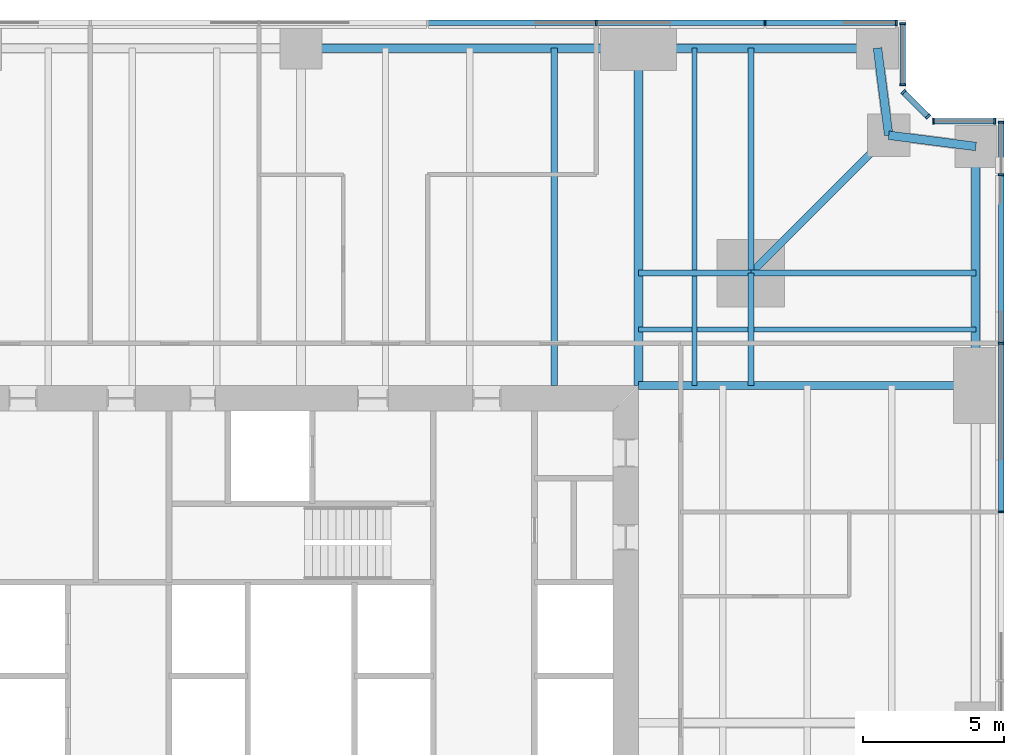
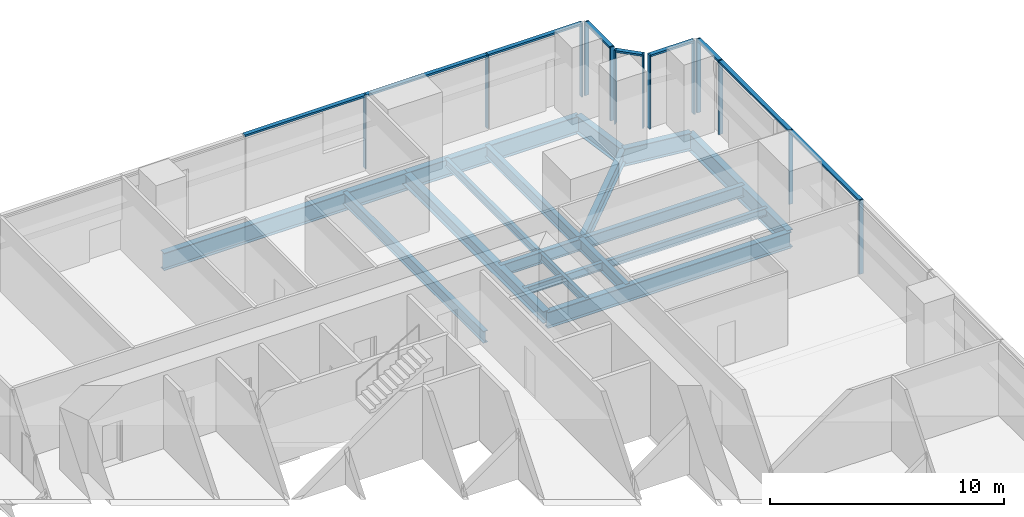
# One storey, part 7 of 14: 22 members, 18 beams, 5 elements without a shape of their own.
"""IFC4 building model written with IfcOpenShell, lengths in metres."""

from ifc_helpers import new_model, si_unit, direction, frame, origin, origin_2d, place, context, subcontext, project, spatial, rectangle, i_section, extrude, material, material_profile, profile_set, type_object, element, aggregate, save


model = new_model("IFC4")

# Units and contexts
model_context = context("Model", 3, precision=1e-05, world=origin(), true_north=direction((0.0, 1.0)))
body_context = subcontext(model_context, "Body", "Model", "MODEL_VIEW")
ifc_project = project(units=[si_unit("LENGTHUNIT", "METRE"), si_unit("AREAUNIT", "SQUARE_METRE"), si_unit("VOLUMEUNIT", "CUBIC_METRE"), si_unit("PLANEANGLEUNIT", "RADIAN"), si_unit("MASSUNIT", "GRAM", prefix="KILO")], contexts=[model_context])

# Site, building, storey
site_placement = place(None, origin())
site = spatial("IfcSite", under=ifc_project, at=site_placement, CompositionType="ELEMENT")
building_placement = place(site_placement, origin())
building = spatial("IfcBuilding", under=site, at=building_placement, Name="Fenwick Lantern Interchange", CompositionType="ELEMENT")
storey_placement = place(building_placement, frame((0.0, 0.0, 59.0)))
storey = spatial("IfcBuildingStorey", under=building, at=storey_placement, Name="L13", CompositionType="ELEMENT", Elevation=59.0)

# Beams
ifc_material_1 = material(Name="Steel ASTM A992 Grade 50", Category="steel")
ifc_material_profile_1 = material_profile(ifc_material_1, i_section(OverallWidth=0.3046875, OverallDepth=0.911865234375, WebThickness=0.015869140625, FlangeThickness=0.02392578125, at=origin_2d()), Name="W36X150")
ifc_profile_set_1 = profile_set([ifc_material_profile_1], Name="Steel ASTM A992 Grade 50")
beam_type_1 = type_object("IfcBeamType", Name="EDGE BEAM W36X150", PredefinedType="SPANDREL", material=ifc_profile_set_1)
beam_1_placement = place(storey_placement, frame((49.0, 37.0, -0.60595703125), z_axis=(0.0, 1.0, 0.0), x_axis=(-1.0, 0.0, 0.0)))
element("IfcBeam", 1, at=beam_1_placement, inside=storey, type_object=beam_type_1, Name="L13/FR/E/EB4", PredefinedType="SPANDREL", context=body_context, shape_type="SweptSolid", body=[
    extrude(i_section(OverallWidth=0.3046875, OverallDepth=0.911865234375, WebThickness=0.015869140625, FlangeThickness=0.02392578125, at=origin_2d()), origin(), (0.0, 0.0, 1.0), 8.5),
])
for number, where, z_axis, x_axis, name in (
    (2, (49.0, 45.5, -0.60595703125), (-0.991782342897, 0.127936641807, 0.0), (-0.127936641807, -0.991782342897, 0.0), "L13/FR/E/EBR1"),
    (3, (45.89990234375, 45.89990234375, -0.60595703125), (-0.127936641807, 0.991782342897, 0.0), (-0.991782342897, -0.127936641807, 0.0), "L13/FR/E/EBR2"),
):
    element("IfcBeam", number, at=place(storey_placement, frame(where, z_axis=z_axis, x_axis=x_axis)), inside=storey, type_object=beam_type_1, Name=name, PredefinedType="SPANDREL", context=body_context, shape_type="SweptSolid", body=[
        extrude(i_section(OverallWidth=0.3046875, OverallDepth=0.911865234375, WebThickness=0.015869140625, FlangeThickness=0.02392578125, at=origin_2d()), origin(), (0.0, 0.0, 1.0), 3.125732421875),
    ])
beam_2_placement = place(storey_placement, frame((45.5, 49.0, -0.60595703125), z_axis=(-1.0, 0.0, 0.0), x_axis=(0.0, -1.0, 0.0)))
element("IfcBeam", 4, at=beam_2_placement, inside=storey, type_object=beam_type_1, Name="L13/FR/N/EB1", PredefinedType="SPANDREL", context=body_context, shape_type="SweptSolid", body=[
    extrude(i_section(OverallWidth=0.3046875, OverallDepth=0.911865234375, WebThickness=0.015869140625, FlangeThickness=0.02392578125, at=origin_2d()), origin(), (0.0, 0.0, 1.0), 8.5),
])
beam_3_placement = place(storey_placement, frame((37.0, 49.0, -0.60595703125), z_axis=(-1.0, 0.0, 0.0), x_axis=(0.0, -1.0, 0.0)))
element("IfcBeam", 5, at=beam_3_placement, inside=storey, type_object=beam_type_1, Name="L13/FR/N/EB2", PredefinedType="SPANDREL", context=body_context, shape_type="SweptSolid", body=[
    extrude(i_section(OverallWidth=0.3046875, OverallDepth=0.911865234375, WebThickness=0.015869140625, FlangeThickness=0.02392578125, at=origin_2d()), origin(), (0.0, 0.0, 1.0), 12.0),
])
ifc_material_profile_2 = material_profile(ifc_material_1, i_section(OverallWidth=0.22900390625, OverallDepth=0.612060546875, WebThickness=0.011962890625, FlangeThickness=0.01953125, at=origin_2d()), Name="W24X84")
ifc_profile_set_2 = profile_set([ifc_material_profile_2], Name="Steel ASTM A992 Grade 50")
beam_type_2 = type_object("IfcBeamType", Name="FLOOR BEAM W24X84", PredefinedType="BEAM", material=ifc_profile_set_2)
beam_4_placement = place(storey_placement, frame((34.0, 49.0, -0.4560546875), z_axis=(0.0, -1.0, 0.0), x_axis=(1.0, 0.0, 0.0)))
element("IfcBeam", 6, at=beam_4_placement, inside=storey, type_object=beam_type_2, Name="L13/FR/N/R02", PredefinedType="BEAM", context=body_context, shape_type="SweptSolid", body=[
    extrude(i_section(OverallWidth=0.22900390625, OverallDepth=0.612060546875, WebThickness=0.011962890625, FlangeThickness=0.01953125, at=origin_2d()), origin(), (0.0, 0.0, 1.0), 12.0),
])
ifc_material_profile_3 = material_profile(ifc_material_1, i_section(OverallWidth=0.177734375, OverallDepth=0.406494140625, WebThickness=0.0078125, FlangeThickness=0.012939453125, at=origin_2d()), Name="W16X40")
ifc_profile_set_3 = profile_set([ifc_material_profile_3], Name="Steel ASTM A992 Grade 50")
beam_type_3 = type_object("IfcBeamType", Name="INFILL BEAM W16X40", PredefinedType="JOIST", material=ifc_profile_set_3)
beam_5_placement = place(storey_placement, frame((39.0, 49.0, -0.353271484375), z_axis=(0.0, -1.0, 0.0), x_axis=(1.0, 0.0, 0.0)))
element("IfcBeam", 7, at=beam_5_placement, inside=storey, type_object=beam_type_3, Name="L13/FR/N/J1", PredefinedType="JOIST", context=body_context, shape_type="SweptSolid", body=[
    extrude(i_section(OverallWidth=0.177734375, OverallDepth=0.406494140625, WebThickness=0.0078125, FlangeThickness=0.012939453125, at=origin_2d()), origin(), (0.0, 0.0, 1.0), 7.885498046875),
])
beam_6_placement = place(storey_placement, frame((39.0, 40.885498046875, -0.353271484375), z_axis=(0.0, -1.0, 0.0), x_axis=(1.0, 0.0, 0.0)))
element("IfcBeam", 8, at=beam_6_placement, inside=storey, type_object=beam_type_3, Name="L13/FR/N/J2", PredefinedType="JOIST", context=body_context, shape_type="SweptSolid", body=[
    extrude(i_section(OverallWidth=0.177734375, OverallDepth=0.406494140625, WebThickness=0.0078125, FlangeThickness=0.012939453125, at=origin_2d()), origin(), (0.0, 0.0, 1.0), 3.885498046875),
])
beam_7_placement = place(storey_placement, frame((49.0, 39.0, -0.353271484375), z_axis=(-1.0, 0.0, 0.0), x_axis=(0.0, -1.0, 0.0)))
element("IfcBeam", 9, at=beam_7_placement, inside=storey, type_object=beam_type_3, Name="L13/FR/N/J3", PredefinedType="JOIST", context=body_context, shape_type="SweptSolid", body=[
    extrude(i_section(OverallWidth=0.177734375, OverallDepth=0.406494140625, WebThickness=0.0078125, FlangeThickness=0.012939453125, at=origin_2d()), origin(), (0.0, 0.0, 1.0), 7.885498046875),
])
beam_8_placement = place(storey_placement, frame((40.885498046875, 39.0, -0.353271484375), z_axis=(-1.0, 0.0, 0.0), x_axis=(0.0, -1.0, 0.0)))
element("IfcBeam", 10, at=beam_8_placement, inside=storey, type_object=beam_type_3, Name="L13/FR/N/J4", PredefinedType="JOIST", context=body_context, shape_type="SweptSolid", body=[
    extrude(i_section(OverallWidth=0.177734375, OverallDepth=0.406494140625, WebThickness=0.0078125, FlangeThickness=0.012939453125, at=origin_2d()), origin(), (0.0, 0.0, 1.0), 1.796630859375),
])
beam_9_placement = place(storey_placement, frame((38.9111328125, 39.0, -0.353271484375), z_axis=(-1.0, 0.0, 0.0), x_axis=(0.0, -1.0, 0.0)))
element("IfcBeam", 11, at=beam_9_placement, inside=storey, type_object=beam_type_3, Name="L13/FR/N/J5", PredefinedType="JOIST", context=body_context, shape_type="SweptSolid", body=[
    extrude(i_section(OverallWidth=0.177734375, OverallDepth=0.406494140625, WebThickness=0.0078125, FlangeThickness=0.012939453125, at=origin_2d()), origin(), (0.0, 0.0, 1.0), 1.9111328125),
])
ifc_material_profile_4 = material_profile(ifc_material_1, i_section(OverallWidth=0.22900390625, OverallDepth=0.612060546875, WebThickness=0.011962890625, FlangeThickness=0.01953125, at=origin_2d()), Name="W24X84")
ifc_profile_set_4 = profile_set([ifc_material_profile_4], Name="Steel ASTM A992 Grade 50")
beam_type_4 = type_object("IfcBeamType", Name="MEGA COLUMN BEAM W24X84", PredefinedType="BEAM", material=ifc_profile_set_4)
for number, where, z_axis, x_axis, name in (
    (12, (41.0, 41.0, -0.4560546875), (0.0, 1.0, 0.0), (-1.0, 0.0, 0.0), "L13/FR/N/MB1"),
    (13, (41.0, 41.0, -0.4560546875), (1.0, 0.0, 0.0), (0.0, 1.0, 0.0), "L13/FR/N/MB2"),
):
    element("IfcBeam", number, at=place(storey_placement, frame(where, z_axis=z_axis, x_axis=x_axis)), inside=storey, type_object=beam_type_4, Name=name, PredefinedType="BEAM", context=body_context, shape_type="SweptSolid", body=[
        extrude(i_section(OverallWidth=0.22900390625, OverallDepth=0.612060546875, WebThickness=0.011962890625, FlangeThickness=0.01953125, at=origin_2d()), origin(), (0.0, 0.0, 1.0), 8.0),
    ])
for number, where, z_axis, x_axis, name in (
    (14, (41.0, 41.0, -0.4560546875), (-1.0, 0.0, 0.0), (0.0, -1.0, 0.0), "L13/FR/N/MB3"),
    (15, (41.0, 41.0, -0.4560546875), (0.0, -1.0, 0.0), (1.0, 0.0, 0.0), "L13/FR/N/MB4"),
):
    element("IfcBeam", number, at=place(storey_placement, frame(where, z_axis=z_axis, x_axis=x_axis)), inside=storey, type_object=beam_type_4, Name=name, PredefinedType="BEAM", context=body_context, shape_type="SweptSolid", body=[
        extrude(i_section(OverallWidth=0.22900390625, OverallDepth=0.612060546875, WebThickness=0.011962890625, FlangeThickness=0.01953125, at=origin_2d()), origin(), (0.0, 0.0, 1.0), 4.0),
    ])
ifc_material_profile_5 = material_profile(ifc_material_1, i_section(OverallWidth=0.32763671875, OverallDepth=0.622314453125, WebThickness=0.015380859375, FlangeThickness=0.0244140625, at=origin_2d()), Name="W24X131")
ifc_profile_set_5 = profile_set([ifc_material_profile_5], Name="Steel ASTM A992 Grade 50")
beam_type_5 = type_object("IfcBeamType", Name="MOMENT-CONNECTED GIRDER W24X131", PredefinedType="BEAM", material=ifc_profile_set_5)
beam_10_placement = place(storey_placement, frame((37.0, 49.0, -0.461181640625), z_axis=(0.0, -1.0, 0.0), x_axis=(1.0, 0.0, 0.0)))
element("IfcBeam", 16, at=beam_10_placement, inside=storey, type_object=beam_type_5, Name="L13/FR/N/R01", PredefinedType="BEAM", context=body_context, shape_type="SweptSolid", body=[
    extrude(i_section(OverallWidth=0.32763671875, OverallDepth=0.622314453125, WebThickness=0.015380859375, FlangeThickness=0.0244140625, at=origin_2d()), origin(), (0.0, 0.0, 1.0), 12.0),
])
ifc_material_profile_6 = material_profile(ifc_material_1, i_section(OverallWidth=0.2919921875, OverallDepth=0.845703125, WebThickness=0.015380859375, FlangeThickness=0.0244140625, at=origin_2d()), Name="W33X141")
ifc_profile_set_6 = profile_set([ifc_material_profile_6], Name="Steel ASTM A992 Grade 50")
beam_type_6 = type_object("IfcBeamType", Name="MOMENT-CONNECTED GIRDER W33X141", PredefinedType="BEAM", material=ifc_profile_set_6)
beam_11_placement = place(storey_placement, frame((49.0, 37.0, -0.572998046875), z_axis=(-1.0, 0.0, 0.0), x_axis=(0.0, -1.0, 0.0)))
element("IfcBeam", 17, at=beam_11_placement, inside=storey, type_object=beam_type_6, Name="L13/FR/E/R03", PredefinedType="BEAM", context=body_context, shape_type="SweptSolid", body=[
    extrude(i_section(OverallWidth=0.2919921875, OverallDepth=0.845703125, WebThickness=0.015380859375, FlangeThickness=0.0244140625, at=origin_2d()), origin(), (0.0, 0.0, 1.0), 12.0),
])
ifc_material_profile_7 = material_profile(ifc_material_1, i_section(OverallWidth=0.2666015625, OverallDepth=0.7568359375, WebThickness=0.013916015625, FlangeThickness=0.019287109375, at=origin_2d()), Name="W30X108")
ifc_profile_set_7 = profile_set([ifc_material_profile_7], Name="Steel ASTM A992 Grade 50")
beam_type_7 = type_object("IfcBeamType", Name="NOTCH BEAM W30X108", PredefinedType="BEAM", material=ifc_profile_set_7)
beam_12_placement = place(storey_placement, frame((41.0, 41.0, -0.528564453125), z_axis=(0.707106781187, 0.707106781187, 0.0), x_axis=(-0.707106781187, 0.707106781187, 0.0)))
element("IfcBeam", 18, at=beam_12_placement, inside=storey, type_object=beam_type_7, Name="L13/FR/N/TG", PredefinedType="BEAM", context=body_context, shape_type="SweptSolid", body=[
    extrude(i_section(OverallWidth=0.2666015625, OverallDepth=0.7568359375, WebThickness=0.013916015625, FlangeThickness=0.019287109375, at=origin_2d()), origin(), (0.0, 0.0, 1.0), 6.929443359375),
])

# Curtain wall, members
ifc_material_2 = material(Name="Aluminium curtain wall frame", Category="aluminium")
curtain_wall_type = type_object("IfcCurtainWallType", Name="OFFICE CURTAIN WALL", PredefinedType="USERDEFINED", material=ifc_material_2)
curtain_wall_1_placement = place(storey_placement, origin())
curtain_wall_1 = element("IfcCurtainWall", 19, at=curtain_wall_1_placement, inside=storey, type_object=curtain_wall_type, Name="Office curtain wall 05", ObjectType="OFFICE CURTAIN WALL", PredefinedType="USERDEFINED")
ifc_material_3 = material(Name="Aluminium extrusion", Category="aluminium")
ifc_material_profile_8 = material_profile(ifc_material_3, rectangle(XDim=0.199951171875, YDim=0.06494140625, at=origin_2d()), Name="OFFICE CURTAIN WALL MULLION 65 X 200")
ifc_profile_set_8 = profile_set([ifc_material_profile_8], Name="Aluminium extrusion")
member_type_1 = type_object("IfcMemberType", Name="OFFICE CURTAIN WALL MULLION 65 X 200", PredefinedType="MULLION", material=ifc_profile_set_8)
member_1_placement = place(storey_placement, frame((49.89990234375, 32.5, 0.0), z_axis=(0.0, 0.0, 1.0), x_axis=(-1.0, 0.0, 0.0)))
member_1 = element("IfcMember", 20, at=member_1_placement, type_object=member_type_1, Name="L13/CW/05/M05", PredefinedType="MULLION", context=body_context, shape_type="SweptSolid", body=[
    extrude(rectangle(XDim=0.199951171875, YDim=0.06494140625, at=origin_2d()), origin(), (0.0, 0.0, 1.0), 3.85009765625),
])
member_2_placement = place(storey_placement, frame((49.89990234375, 38.5, 0.0), z_axis=(0.0, 0.0, 1.0), x_axis=(-1.0, 0.0, 0.0)))
member_2 = element("IfcMember", 21, at=member_2_placement, type_object=member_type_1, Name="L13/CW/05/M06", PredefinedType="MULLION", context=body_context, shape_type="SweptSolid", body=[
    extrude(rectangle(XDim=0.199951171875, YDim=0.06494140625, at=origin_2d()), origin(), (0.0, 0.0, 1.0), 3.85009765625),
])
member_3_placement = place(storey_placement, frame((49.89990234375, 44.5, 0.0), z_axis=(0.0, 0.0, 1.0), x_axis=(-1.0, 0.0, 0.0)))
member_3 = element("IfcMember", 22, at=member_3_placement, type_object=member_type_1, Name="L13/CW/05/M07", PredefinedType="MULLION", context=body_context, shape_type="SweptSolid", body=[
    extrude(rectangle(XDim=0.199951171875, YDim=0.06494140625, at=origin_2d()), origin(), (0.0, 0.0, 1.0), 3.85009765625),
])
member_4_placement = place(storey_placement, frame((49.89990234375, 46.367431640625, 0.0), z_axis=(0.0, 0.0, 1.0), x_axis=(-1.0, 0.0, 0.0)))
member_4 = element("IfcMember", 23, at=member_4_placement, type_object=member_type_1, Name="L13/CW/05/M08", PredefinedType="MULLION", context=body_context, shape_type="SweptSolid", body=[
    extrude(rectangle(XDim=0.199951171875, YDim=0.06494140625, at=origin_2d()), origin(), (0.0, 0.0, 1.0), 3.85009765625),
])

curtain_wall_2_placement = place(storey_placement, origin())
curtain_wall_2 = element("IfcCurtainWall", 24, at=curtain_wall_2_placement, inside=storey, type_object=curtain_wall_type, Name="Office curtain wall 06", ObjectType="OFFICE CURTAIN WALL", PredefinedType="USERDEFINED")
member_5_placement = place(storey_placement, frame((49.66748046875, 46.39990234375, 0.0), z_axis=(0.0, 0.0, 1.0), x_axis=(0.0, -1.0, 0.0)))
member_5 = element("IfcMember", 25, at=member_5_placement, type_object=member_type_1, Name="L13/CW/06/M00", PredefinedType="MULLION", context=body_context, shape_type="SweptSolid", body=[
    extrude(rectangle(XDim=0.199951171875, YDim=0.06494140625, at=origin_2d()), origin(), (0.0, 0.0, 1.0), 3.85009765625),
])
member_6_placement = place(storey_placement, frame((47.490966796875, 46.39990234375, 0.0), z_axis=(0.0, 0.0, 1.0), x_axis=(0.0, -1.0, 0.0)))
member_6 = element("IfcMember", 26, at=member_6_placement, type_object=member_type_1, Name="L13/CW/06/M01", PredefinedType="MULLION", context=body_context, shape_type="SweptSolid", body=[
    extrude(rectangle(XDim=0.199951171875, YDim=0.06494140625, at=origin_2d()), origin(), (0.0, 0.0, 1.0), 3.85009765625),
])

curtain_wall_3_placement = place(storey_placement, origin())
curtain_wall_3 = element("IfcCurtainWall", 27, at=curtain_wall_3_placement, inside=storey, type_object=curtain_wall_type, Name="Office curtain wall 07", ObjectType="OFFICE CURTAIN WALL", PredefinedType="USERDEFINED")
member_7_placement = place(storey_placement, frame((47.294189453125, 46.564453125, 0.0), z_axis=(0.0, 0.0, 1.0), x_axis=(-0.707106781187, -0.707106781187, 0.0)))
member_7 = element("IfcMember", 28, at=member_7_placement, type_object=member_type_1, Name="L13/CW/07/M00", PredefinedType="MULLION", context=body_context, shape_type="SweptSolid", body=[
    extrude(rectangle(XDim=0.199951171875, YDim=0.06494140625, at=origin_2d()), origin(), (0.0, 0.0, 1.0), 3.85009765625),
])
member_8_placement = place(storey_placement, frame((46.423095703125, 47.435546875, 0.0), z_axis=(0.0, 0.0, 1.0), x_axis=(-0.707106781187, -0.707106781187, 0.0)))
member_8 = element("IfcMember", 29, at=member_8_placement, type_object=member_type_1, Name="L13/CW/07/M01", PredefinedType="MULLION", context=body_context, shape_type="SweptSolid", body=[
    extrude(rectangle(XDim=0.199951171875, YDim=0.06494140625, at=origin_2d()), origin(), (0.0, 0.0, 1.0), 3.85009765625),
])

curtain_wall_4_placement = place(storey_placement, origin())
curtain_wall_4 = element("IfcCurtainWall", 30, at=curtain_wall_4_placement, inside=storey, type_object=curtain_wall_type, Name="Office curtain wall 08", ObjectType="OFFICE CURTAIN WALL", PredefinedType="USERDEFINED")
member_9_placement = place(storey_placement, frame((46.39990234375, 47.691162109375, 0.0), z_axis=(0.0, 0.0, 1.0), x_axis=(-1.0, 0.0, 0.0)))
member_9 = element("IfcMember", 31, at=member_9_placement, type_object=member_type_1, Name="L13/CW/08/M00", PredefinedType="MULLION", context=body_context, shape_type="SweptSolid", body=[
    extrude(rectangle(XDim=0.199951171875, YDim=0.06494140625, at=origin_2d()), origin(), (0.0, 0.0, 1.0), 3.85009765625),
])
member_10_placement = place(storey_placement, frame((46.39990234375, 49.867431640625, 0.0), z_axis=(0.0, 0.0, 1.0), x_axis=(-1.0, 0.0, 0.0)))
member_10 = element("IfcMember", 32, at=member_10_placement, type_object=member_type_1, Name="L13/CW/08/M01", PredefinedType="MULLION", context=body_context, shape_type="SweptSolid", body=[
    extrude(rectangle(XDim=0.199951171875, YDim=0.06494140625, at=origin_2d()), origin(), (0.0, 0.0, 1.0), 3.85009765625),
])

curtain_wall_5_placement = place(storey_placement, origin())
curtain_wall_5 = element("IfcCurtainWall", 33, at=curtain_wall_5_placement, inside=storey, type_object=curtain_wall_type, Name="Office curtain wall 09", ObjectType="OFFICE CURTAIN WALL", PredefinedType="USERDEFINED")
member_11_placement = place(storey_placement, frame((46.16748046875, 49.89990234375, 0.0), z_axis=(0.0, 0.0, 1.0), x_axis=(0.0, -1.0, 0.0)))
member_11 = element("IfcMember", 34, at=member_11_placement, type_object=member_type_1, Name="L13/CW/09/M00", PredefinedType="MULLION", context=body_context, shape_type="SweptSolid", body=[
    extrude(rectangle(XDim=0.199951171875, YDim=0.06494140625, at=origin_2d()), origin(), (0.0, 0.0, 1.0), 3.85009765625),
])
member_12_placement = place(storey_placement, frame((41.5, 49.89990234375, 0.0), z_axis=(0.0, 0.0, 1.0), x_axis=(0.0, -1.0, 0.0)))
member_12 = element("IfcMember", 35, at=member_12_placement, type_object=member_type_1, Name="L13/CW/09/M01", PredefinedType="MULLION", context=body_context, shape_type="SweptSolid", body=[
    extrude(rectangle(XDim=0.199951171875, YDim=0.06494140625, at=origin_2d()), origin(), (0.0, 0.0, 1.0), 3.85009765625),
])
member_13_placement = place(storey_placement, frame((35.5, 49.89990234375, 0.0), z_axis=(0.0, 0.0, 1.0), x_axis=(0.0, -1.0, 0.0)))
member_13 = element("IfcMember", 36, at=member_13_placement, type_object=member_type_1, Name="L13/CW/09/M02", PredefinedType="MULLION", context=body_context, shape_type="SweptSolid", body=[
    extrude(rectangle(XDim=0.199951171875, YDim=0.06494140625, at=origin_2d()), origin(), (0.0, 0.0, 1.0), 3.85009765625),
])

# Member
ifc_material_profile_9 = material_profile(ifc_material_3, rectangle(XDim=0.199951171875, YDim=0.10009765625, at=origin_2d()), Name="OFFICE CURTAIN WALL TRANSOM 100 X 200")
ifc_profile_set_9 = profile_set([ifc_material_profile_9], Name="Aluminium extrusion")
member_type_2 = type_object("IfcMemberType", Name="OFFICE CURTAIN WALL TRANSOM 100 X 200", PredefinedType="MULLION", material=ifc_profile_set_9)
member_14_placement = place(storey_placement, frame((49.89990234375, 32.532470703125, 3.800048828125), z_axis=(0.0, 1.0, 0.0), x_axis=(-1.0, 0.0, 0.0)))
member_14 = element("IfcMember", 37, at=member_14_placement, type_object=member_type_2, Name="L13/CW/05/T05", PredefinedType="MULLION", context=body_context, shape_type="SweptSolid", body=[
    extrude(rectangle(XDim=0.199951171875, YDim=0.10009765625, at=origin_2d()), origin(), (0.0, 0.0, 1.0), 5.93505859375),
])

member_15_placement = place(storey_placement, frame((49.89990234375, 38.532470703125, 3.800048828125), z_axis=(0.0, 1.0, 0.0), x_axis=(-1.0, 0.0, 0.0)))
member_15 = element("IfcMember", 38, at=member_15_placement, type_object=member_type_2, Name="L13/CW/05/T06", PredefinedType="MULLION", context=body_context, shape_type="SweptSolid", body=[
    extrude(rectangle(XDim=0.199951171875, YDim=0.10009765625, at=origin_2d()), origin(), (0.0, 0.0, 1.0), 5.93505859375),
])

member_16_placement = place(storey_placement, frame((49.89990234375, 44.532470703125, 3.800048828125), z_axis=(0.0, 1.0, 0.0), x_axis=(-1.0, 0.0, 0.0)))
member_16 = element("IfcMember", 39, at=member_16_placement, type_object=member_type_2, Name="L13/CW/05/T07", PredefinedType="MULLION", context=body_context, shape_type="SweptSolid", body=[
    extrude(rectangle(XDim=0.199951171875, YDim=0.10009765625, at=origin_2d()), origin(), (0.0, 0.0, 1.0), 1.802490234375),
])

aggregate(curtain_wall_1, [member_1, member_2, member_3, member_4, member_14, member_15, member_16])

member_17_placement = place(storey_placement, frame((49.635009765625, 46.39990234375, 3.800048828125), z_axis=(-1.0, 0.0, 0.0), x_axis=(0.0, -1.0, 0.0)))
member_17 = element("IfcMember", 40, at=member_17_placement, type_object=member_type_2, Name="L13/CW/06/T00", PredefinedType="MULLION", context=body_context, shape_type="SweptSolid", body=[
    extrude(rectangle(XDim=0.199951171875, YDim=0.10009765625, at=origin_2d()), origin(), (0.0, 0.0, 1.0), 2.111328125),
])

aggregate(curtain_wall_2, [member_5, member_6, member_17])

member_18_placement = place(storey_placement, frame((47.271240234375, 46.58740234375, 3.800048828125), z_axis=(-0.707106781187, 0.707106781187, 0.0), x_axis=(-0.707106781187, -0.707106781187, 0.0)))
member_18 = element("IfcMember", 41, at=member_18_placement, type_object=member_type_2, Name="L13/CW/07/T00", PredefinedType="MULLION", context=body_context, shape_type="SweptSolid", body=[
    extrude(rectangle(XDim=0.199951171875, YDim=0.10009765625, at=origin_2d()), origin(), (0.0, 0.0, 1.0), 1.1669921875),
])

aggregate(curtain_wall_3, [member_7, member_8, member_18])

member_19_placement = place(storey_placement, frame((46.39990234375, 47.7236328125, 3.800048828125), z_axis=(0.0, 1.0, 0.0), x_axis=(-1.0, 0.0, 0.0)))
member_19 = element("IfcMember", 42, at=member_19_placement, type_object=member_type_2, Name="L13/CW/08/T00", PredefinedType="MULLION", context=body_context, shape_type="SweptSolid", body=[
    extrude(rectangle(XDim=0.199951171875, YDim=0.10009765625, at=origin_2d()), origin(), (0.0, 0.0, 1.0), 2.111328125),
])

aggregate(curtain_wall_4, [member_9, member_10, member_19])

member_20_placement = place(storey_placement, frame((46.135009765625, 49.89990234375, 3.800048828125), z_axis=(-1.0, 0.0, 0.0), x_axis=(0.0, -1.0, 0.0)))
member_20 = element("IfcMember", 43, at=member_20_placement, type_object=member_type_2, Name="L13/CW/09/T00", PredefinedType="MULLION", context=body_context, shape_type="SweptSolid", body=[
    extrude(rectangle(XDim=0.199951171875, YDim=0.10009765625, at=origin_2d()), origin(), (0.0, 0.0, 1.0), 4.6025390625),
])

member_21_placement = place(storey_placement, frame((41.467529296875, 49.89990234375, 3.800048828125), z_axis=(-1.0, 0.0, 0.0), x_axis=(0.0, -1.0, 0.0)))
member_21 = element("IfcMember", 44, at=member_21_placement, type_object=member_type_2, Name="L13/CW/09/T01", PredefinedType="MULLION", context=body_context, shape_type="SweptSolid", body=[
    extrude(rectangle(XDim=0.199951171875, YDim=0.10009765625, at=origin_2d()), origin(), (0.0, 0.0, 1.0), 5.93505859375),
])

member_22_placement = place(storey_placement, frame((35.467529296875, 49.89990234375, 3.800048828125), z_axis=(-1.0, 0.0, 0.0), x_axis=(0.0, -1.0, 0.0)))
member_22 = element("IfcMember", 45, at=member_22_placement, type_object=member_type_2, Name="L13/CW/09/T02", PredefinedType="MULLION", context=body_context, shape_type="SweptSolid", body=[
    extrude(rectangle(XDim=0.199951171875, YDim=0.10009765625, at=origin_2d()), origin(), (0.0, 0.0, 1.0), 5.93505859375),
])

aggregate(curtain_wall_5, [member_11, member_12, member_13, member_20, member_21, member_22])

save(model, "model.ifc")
